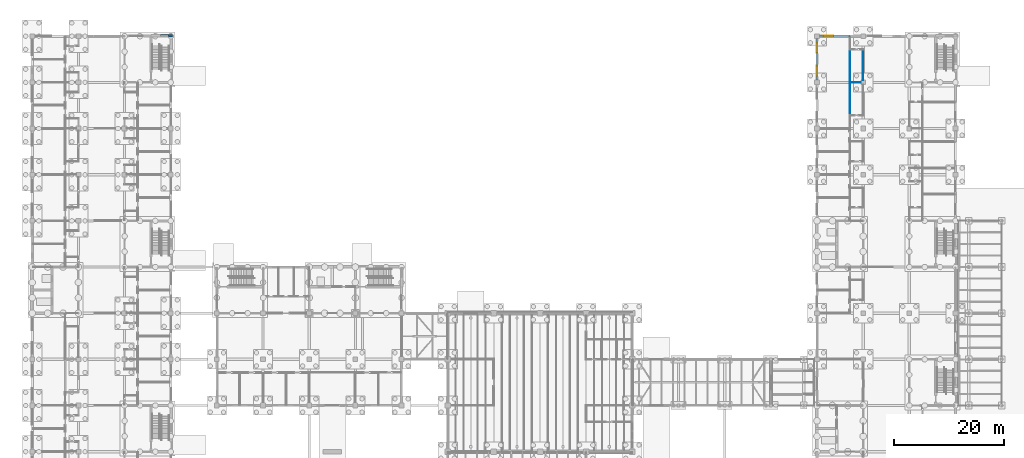
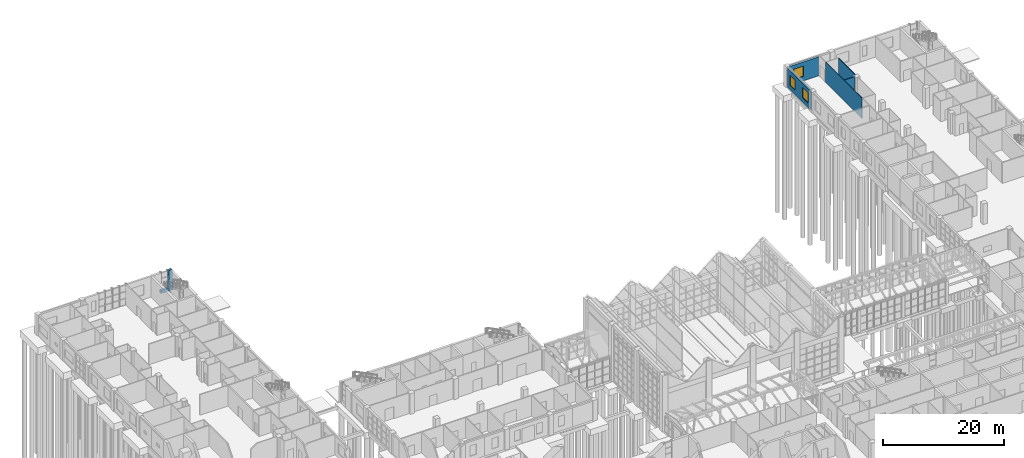
# One storey, part 122 of 138: 7 walls, 3 windows, 3 openings.
"""IFC4 building model written with IfcOpenShell, lengths in metres."""

from ifc_helpers import new_model, si_unit, direction, frame, frame_2d, origin, place, context, subcontext, project, spatial, rectangle, extrude, material, layer, layer_set, type_object, element, fill, save


model = new_model("IFC4")

# Units and contexts
model_context = context("Model", 3, precision=1e-05, world=origin(), true_north=direction((0.0, 1.0)))
body_context = subcontext(model_context, "Body", "Model", "MODEL_VIEW")
ifc_project = project(units=[si_unit("LENGTHUNIT", "METRE"), si_unit("AREAUNIT", "SQUARE_METRE"), si_unit("VOLUMEUNIT", "CUBIC_METRE"), si_unit("PLANEANGLEUNIT", "RADIAN"), si_unit("MASSUNIT", "GRAM", prefix="KILO")], contexts=[model_context])

# Site, building, storey
site_placement = place(None, origin())
site = spatial("IfcSite", under=ifc_project, at=site_placement, CompositionType="ELEMENT")
building_placement = place(site_placement, origin())
building = spatial("IfcBuilding", under=site, at=building_placement, Name="Yavir Park General Hospital", CompositionType="ELEMENT")
storey_placement = place(building_placement, origin())
storey = spatial("IfcBuildingStorey", under=building, at=storey_placement, Name="L00", CompositionType="ELEMENT", Elevation=0.0)

# Walls
ifc_material_1 = material(Name="Gypsum board partition on steel studs", Category="steel")
ifc_layer_1 = layer(ifc_material_1, 0.10009765625)
ifc_layer_set_1 = layer_set([ifc_layer_1], Name="Gypsum board partition on steel studs")
wall_type_1 = type_object("IfcWallType", Name="Gypsum board partition 100", PredefinedType="PARTITIONING", material=ifc_layer_set_1)
wall_1_placement = place(storey_placement, frame((148.85009765625, 109.199951171875, 0.0), z_axis=(0.0, 0.0, 1.0), x_axis=(1.0, 0.0, 0.0)))
element("IfcWall", 1, at=wall_1_placement, inside=storey, type_object=wall_type_1, Name="P10 L00-244", PredefinedType="PARTITIONING", context=body_context, shape_type="SweptSolid", body=[
    extrude(rectangle(XDim=1.9248046875, YDim=0.10009765625, at=frame_2d((0.96240234375, 0.0))), origin(), (0.0, 0.0, 1.0), 4.139892578125),
])
wall_2_placement = place(storey_placement, frame((148.800048828125, 103.199951171875, 0.0), z_axis=(0.0, 0.0, 1.0), x_axis=(0.0, 1.0, 0.0)))
element("IfcWall", 2, at=wall_2_placement, inside=storey, type_object=wall_type_1, Name="P10 L00-480", PredefinedType="PARTITIONING", context=body_context, shape_type="SweptSolid", body=[
    extrude(rectangle(XDim=12.0, YDim=0.10009765625, at=frame_2d((6.0, 0.0))), origin(), (0.0, 0.0, 1.0), 4.139892578125),
])
wall_3_placement = place(storey_placement, frame((151.199951171875, 109.625, 0.0), z_axis=(0.0, 0.0, 1.0), x_axis=(0.0, 1.0, 0.0)))
element("IfcWall", 3, at=wall_3_placement, inside=storey, type_object=wall_type_1, Name="P10 L00-494", PredefinedType="PARTITIONING", context=body_context, shape_type="SweptSolid", body=[
    extrude(rectangle(XDim=5.52490234375, YDim=0.10009765625, at=frame_2d((2.762451171875, 0.0))), origin(), (0.0, 0.0, 1.0), 4.139892578125),
])

# Wall, opening, window
ifc_material_2 = material(Name="Concrete C30/37 precast panel with 120 mm mineral wool insulation", Category="concrete")
ifc_layer_2 = layer(ifc_material_2, 0.35009765625)
ifc_layer_set_2 = layer_set([ifc_layer_2], Name="Concrete C30/37 precast panel with 120 mm mineral wool insulation")
wall_type_2 = type_object("IfcWallType", Name="Precast cladding panel podium wall 350, E 30", PredefinedType="SOLIDWALL", material=ifc_layer_set_2)
wall_4_placement = place(storey_placement, frame((143.22509765625, 117.625, 0.0), z_axis=(0.0, 0.0, 1.0), x_axis=(1.0, 0.0, 0.0)))
wall_4 = element("IfcWall", 4, at=wall_4_placement, inside=storey, type_object=wall_type_2, Name="XW2 L00-085", PredefinedType="SOLIDWALL", context=body_context, shape_type="SweptSolid", body=[
    extrude(rectangle(XDim=5.574951171875, YDim=0.35009765625, at=frame_2d((2.78759765625, 0.0))), origin(), (0.0, 0.0, 1.0), 3.840087890625),
])
opening_1_placement = place(wall_4_placement, frame((0.77490234375, 0.0, 0.89990234375)))
opening_1 = element("IfcOpeningElement", 5, at=opening_1_placement, cuts=wall_4, Name="Opening WS2", PredefinedType="OPENING", context=body_context, shape_type="SweptSolid", body=[
    extrude(rectangle(XDim=1.800048828125, YDim=2.10009765625, at=frame_2d((0.89990234375, 1.050048828125))), frame((0.0, 0.18505859375, 0.0), z_axis=(0.0, -1.0, 0.0), x_axis=(1.0, 0.0, 0.0)), (0.0, 0.0, 1.0), 0.3701171875),
])
ifc_material_3 = material(Name="Aluminium frame, impact-resistant glazed unit", Category="aluminium")
window_type = type_object("IfcWindowType", Name="Tall emergency department window, impact glazing 1800 x 2100", PartitioningType="SINGLE_PANEL", PredefinedType="WINDOW", material=ifc_material_3)
window_1_placement = place(opening_1_placement, origin())
window_1 = element("IfcWindow", 6, at=window_1_placement, inside=storey, type_object=window_type, Name="WS2 L00-027", OverallHeight=2.10009765625, OverallWidth=1.800048828125, PartitioningType="SINGLE_PANEL", PredefinedType="WINDOW", context=body_context, shape_type="SweptSolid", body=[
    extrude(rectangle(XDim=1.800048828125, YDim=2.10009765625, at=frame_2d((0.89990234375, 1.050048828125))), frame((0.0, 0.044921875, 0.0), z_axis=(0.0, -1.0, 0.0), x_axis=(1.0, 0.0, 0.0)), (0.0, 0.0, 1.0), 0.090087890625),
])
fill(opening_1, window_1)

# Wall, openings, windows
wall_5_placement = place(storey_placement, frame((142.77490234375, 109.625, 0.0), z_axis=(0.0, 0.0, 1.0), x_axis=(0.0, 1.0, 0.0)))
wall_5 = element("IfcWall", 7, at=wall_5_placement, inside=storey, type_object=wall_type_2, Name="XW2 L00-170", PredefinedType="SOLIDWALL", context=body_context, shape_type="SweptSolid", body=[
    extrude(rectangle(XDim=7.550048828125, YDim=0.35009765625, at=frame_2d((3.77490234375, 0.0))), origin(), (0.0, 0.0, 1.0), 3.840087890625),
])
opening_2_placement = place(wall_5_placement, frame((0.77490234375, 0.0, 0.89990234375)))
opening_2 = element("IfcOpeningElement", 8, at=opening_2_placement, cuts=wall_5, Name="Opening WS2", PredefinedType="OPENING", context=body_context, shape_type="SweptSolid", body=[
    extrude(rectangle(XDim=1.800048828125, YDim=2.10009765625, at=frame_2d((0.89990234375, 1.050048828125))), frame((0.0, 0.18505859375, 0.0), z_axis=(0.0, -1.0, 0.0), x_axis=(1.0, 0.0, 0.0)), (0.0, 0.0, 1.0), 0.3701171875),
])
opening_3_placement = place(wall_5_placement, frame((4.97509765625, 0.0, 0.89990234375)))
opening_3 = element("IfcOpeningElement", 9, at=opening_3_placement, cuts=wall_5, Name="Opening WS2", PredefinedType="OPENING", context=body_context, shape_type="SweptSolid", body=[
    extrude(rectangle(XDim=1.800048828125, YDim=2.10009765625, at=frame_2d((0.89990234375, 1.050048828125))), frame((0.0, 0.18505859375, 0.0), z_axis=(0.0, -1.0, 0.0), x_axis=(1.0, 0.0, 0.0)), (0.0, 0.0, 1.0), 0.3701171875),
])
window_2_placement = place(opening_2_placement, origin())
window_2 = element("IfcWindow", 10, at=window_2_placement, inside=storey, type_object=window_type, Name="WS2 L00-073", OverallHeight=2.10009765625, OverallWidth=1.800048828125, PartitioningType="SINGLE_PANEL", PredefinedType="WINDOW", context=body_context, shape_type="SweptSolid", body=[
    extrude(rectangle(XDim=1.800048828125, YDim=2.10009765625, at=frame_2d((0.89990234375, 1.050048828125))), frame((0.0, 0.044921875, 0.0), z_axis=(0.0, -1.0, 0.0), x_axis=(1.0, 0.0, 0.0)), (0.0, 0.0, 1.0), 0.090087890625),
])
fill(opening_2, window_2)
window_3_placement = place(opening_3_placement, origin())
window_3 = element("IfcWindow", 11, at=window_3_placement, inside=storey, type_object=window_type, Name="WS2 L00-074", OverallHeight=2.10009765625, OverallWidth=1.800048828125, PartitioningType="SINGLE_PANEL", PredefinedType="WINDOW", context=body_context, shape_type="SweptSolid", body=[
    extrude(rectangle(XDim=1.800048828125, YDim=2.10009765625, at=frame_2d((0.89990234375, 1.050048828125))), frame((0.0, 0.044921875, 0.0), z_axis=(0.0, -1.0, 0.0), x_axis=(1.0, 0.0, 0.0)), (0.0, 0.0, 1.0), 0.090087890625),
])
fill(opening_3, window_3)

# Walls
ifc_material_4 = material(Name="Concrete C30/37 precast panel with 150 mm mineral wool insulation", Category="concrete")
ifc_layer_3 = layer(ifc_material_4, 0.449951171875)
ifc_layer_set_3 = layer_set([ifc_layer_3], Name="Concrete C30/37 precast panel with 150 mm mineral wool insulation")
wall_type_3 = type_object("IfcWallType", Name="Stair enclosure wall 450, REI 150", PredefinedType="SOLIDWALL", material=ifc_layer_set_3)
wall_6_placement = place(storey_placement, frame((24.75, 117.675048828125, 0.0), z_axis=(0.0, 0.0, 1.0), x_axis=(1.0, 0.0, 0.0)))
element("IfcWall", 12, at=wall_6_placement, inside=storey, type_object=wall_type_3, Name="XW6 L00-083", PredefinedType="SOLIDWALL", context=body_context, shape_type="SweptSolid", body=[
    extrude(rectangle(XDim=0.75, YDim=0.449951171875, at=frame_2d((0.375, 0.0))), origin(), (0.0, 0.0, 1.0), 4.139892578125),
])
wall_7_placement = place(storey_placement, frame((23.35009765625, 117.675048828125, 0.0), z_axis=(0.0, 0.0, 1.0), x_axis=(1.0, 0.0, 0.0)))
element("IfcWall", 13, at=wall_7_placement, inside=storey, type_object=wall_type_3, Name="XW6 L00-084", PredefinedType="SOLIDWALL", context=body_context, shape_type="SweptSolid", body=[
    extrude(rectangle(XDim=1.39990234375, YDim=0.449951171875, at=frame_2d((0.699951171875, 0.0))), origin(), (0.0, 0.0, 1.0), 0.60009765625),
])

save(model, "model.ifc")
